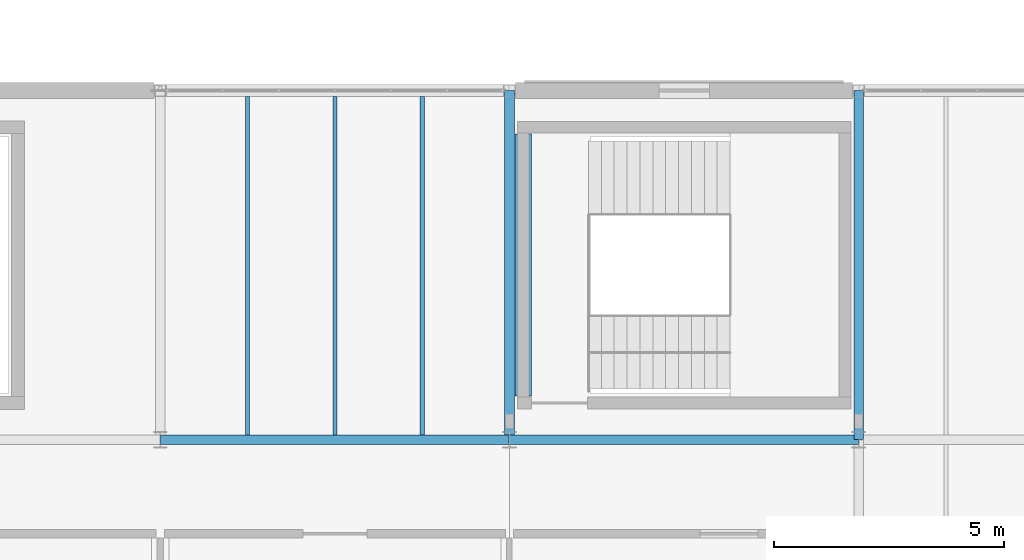
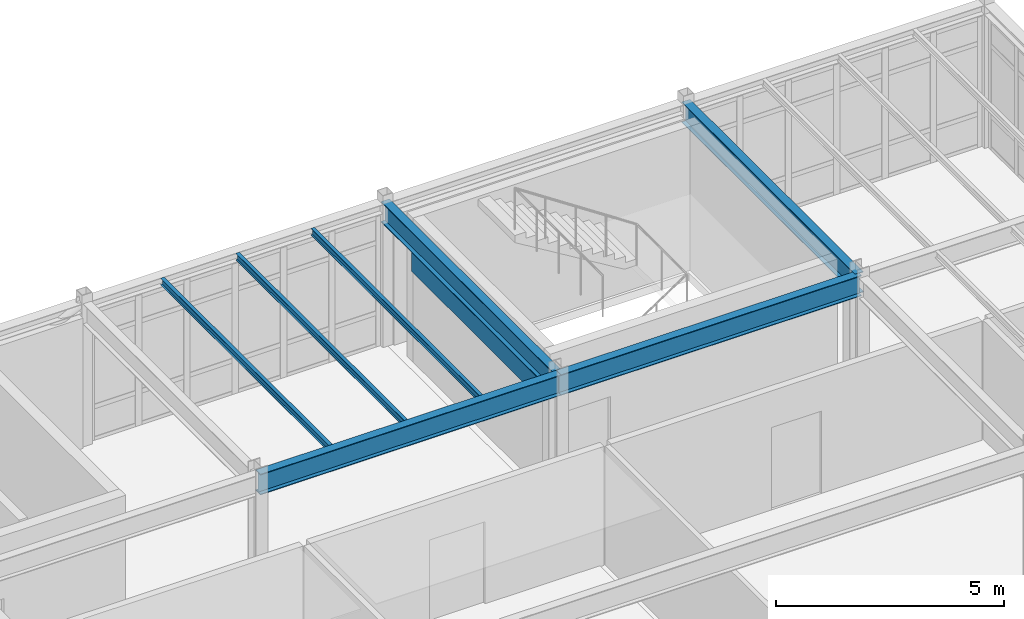
# One storey, part 78 of 189: 8 beams.
"""IFC4 building model written with IfcOpenShell, lengths in metres."""

from ifc_helpers import new_model, si_unit, direction, frame, origin, origin_2d, place, context, subcontext, project, spatial, rectangle, i_section, extrude, material, material_profile, profile_set, type_object, element, save


model = new_model("IFC4")

# Units and contexts
model_context = context("Model", 3, precision=1e-05, world=origin(), true_north=direction((0.0, 1.0)))
body_context = subcontext(model_context, "Body", "Model", "MODEL_VIEW")
ifc_project = project(units=[si_unit("LENGTHUNIT", "METRE"), si_unit("AREAUNIT", "SQUARE_METRE"), si_unit("VOLUMEUNIT", "CUBIC_METRE"), si_unit("PLANEANGLEUNIT", "RADIAN"), si_unit("MASSUNIT", "GRAM", prefix="KILO")], contexts=[model_context])

# Site, building, storey
site_placement = place(None, origin())
site = spatial("IfcSite", under=ifc_project, at=site_placement, CompositionType="ELEMENT")
building_placement = place(site_placement, origin())
building = spatial("IfcBuilding", under=site, at=building_placement, Name="Montecoro Central Library", CompositionType="ELEMENT")
storey_placement = place(building_placement, frame((0.0, 0.0, 9.179931640625)))
storey = spatial("IfcBuildingStorey", under=building, at=storey_placement, Name="L02", CompositionType="ELEMENT", Elevation=9.179931640625)

# Beams
ifc_material_1 = material(Name="Steel S355J2", Category="steel")
ifc_material_profile_1 = material_profile(ifc_material_1, i_section(OverallWidth=0.2099609375, OverallDepth=0.550048828125, WebThickness=0.010986328125, FlangeThickness=0.01708984375, at=origin_2d()), Name="IPE 550")
ifc_profile_set_1 = profile_set([ifc_material_profile_1], Name="Steel S355J2")
beam_type_1 = type_object("IfcBeamType", Name="BM-G-IPE550", PredefinedType="USERDEFINED", material=ifc_profile_set_1)
beam_1_placement = place(storey_placement, frame((20.205078125, 103.800048828125, 3.550048828125), z_axis=(1.0, 0.0, 0.0), x_axis=(0.0, 1.0, 0.0)))
element("IfcBeam", 1, at=beam_1_placement, inside=storey, type_object=beam_type_1, Name="V4-L02-BX-34-P", ObjectType="GIRDER", PredefinedType="USERDEFINED", context=body_context, shape_type="SweptSolid", body=[
    extrude(i_section(OverallWidth=0.2099609375, OverallDepth=0.550048828125, WebThickness=0.010986328125, FlangeThickness=0.01708984375, at=origin_2d()), origin(), (0.0, 0.0, 1.0), 7.58984375),
])
for number, where, z_axis, x_axis, name in (
    (2, (27.804931640625, 103.800048828125, 3.550048828125), (1.0, 0.0, 0.0), (0.0, 1.0, 0.0), "V4-L02-BX-45-P"),
    (3, (27.800048828125, 103.804931640625, 3.550048828125), (0.0, 1.0, 0.0), (-1.0, 0.0, 0.0), "V4-L02-BY-4-PQ"),
    (4, (35.39990234375, 103.804931640625, 3.550048828125), (0.0, 1.0, 0.0), (-1.0, 0.0, 0.0), "V4-L02-BY-5-PQ"),
):
    element("IfcBeam", number, at=place(storey_placement, frame(where, z_axis=z_axis, x_axis=x_axis)), inside=storey, type_object=beam_type_1, Name=name, ObjectType="GIRDER", PredefinedType="USERDEFINED", context=body_context, shape_type="SweptSolid", body=[
        extrude(i_section(OverallWidth=0.2099609375, OverallDepth=0.550048828125, WebThickness=0.010986328125, FlangeThickness=0.01708984375, at=origin_2d()), origin(), (0.0, 0.0, 1.0), 7.590087890625),
    ])
ifc_material_2 = material(Name="Steel S355", Category="steel")
ifc_material_profile_2 = material_profile(ifc_material_2, i_section(OverallWidth=0.091064453125, OverallDepth=0.179931640625, WebThickness=0.00537109375, FlangeThickness=0.008056640625, at=origin_2d()), Name="IPE 180")
ifc_profile_set_2 = profile_set([ifc_material_profile_2], Name="Steel S355")
beam_type_2 = type_object("IfcBeamType", Name="BM-J-IPE180", PredefinedType="JOIST", material=ifc_profile_set_2)
for number, where, z_axis, x_axis, name in (
    (5, (22.10009765625, 103.902099609375, 3.735107421875), (0.0, 1.0, 0.0), (-1.0, 0.0, 0.0), "V4-L02-JS-34-PQ-1"),
    (6, (24.0, 103.902099609375, 3.735107421875), (0.0, 1.0, 0.0), (-1.0, 0.0, 0.0), "V4-L02-JS-34-PQ-2"),
    (7, (25.89990234375, 103.902099609375, 3.735107421875), (0.0, 1.0, 0.0), (-1.0, 0.0, 0.0), "V4-L02-JS-34-PQ-3"),
):
    element("IfcBeam", number, at=place(storey_placement, frame(where, z_axis=z_axis, x_axis=x_axis)), inside=storey, type_object=beam_type_2, Name=name, PredefinedType="JOIST", context=body_context, shape_type="SweptSolid", body=[
        extrude(i_section(OverallWidth=0.091064453125, OverallDepth=0.179931640625, WebThickness=0.00537109375, FlangeThickness=0.008056640625, at=origin_2d()), origin(), (0.0, 0.0, 1.0), 7.370849609375),
    ])
ifc_material_3 = material(Name="Concrete C35/45", Category="concrete")
ifc_material_profile_3 = material_profile(ifc_material_3, rectangle(XDim=0.35009765625, YDim=0.550048828125, at=origin_2d()), Name="RC LNT 550x350")
ifc_profile_set_3 = profile_set([ifc_material_profile_3], Name="Concrete C35/45")
beam_type_3 = type_object("IfcBeamType", Name="BM-LN-RC04", PredefinedType="LINTEL", material=ifc_profile_set_3)
beam_2_placement = place(storey_placement, frame((28.10009765625, 104.75, 2.72509765625), z_axis=(0.0, 1.0, 0.0), x_axis=(-1.0, 0.0, 0.0)))
element("IfcBeam", 8, at=beam_2_placement, inside=storey, type_object=beam_type_3, Name="C9-L02-LNT", PredefinedType="LINTEL", context=body_context, shape_type="SweptSolid", body=[
    extrude(rectangle(XDim=0.35009765625, YDim=0.550048828125, at=origin_2d()), origin(), (0.0, 0.0, 1.0), 5.699951171875),
])

save(model, "model.ifc")
